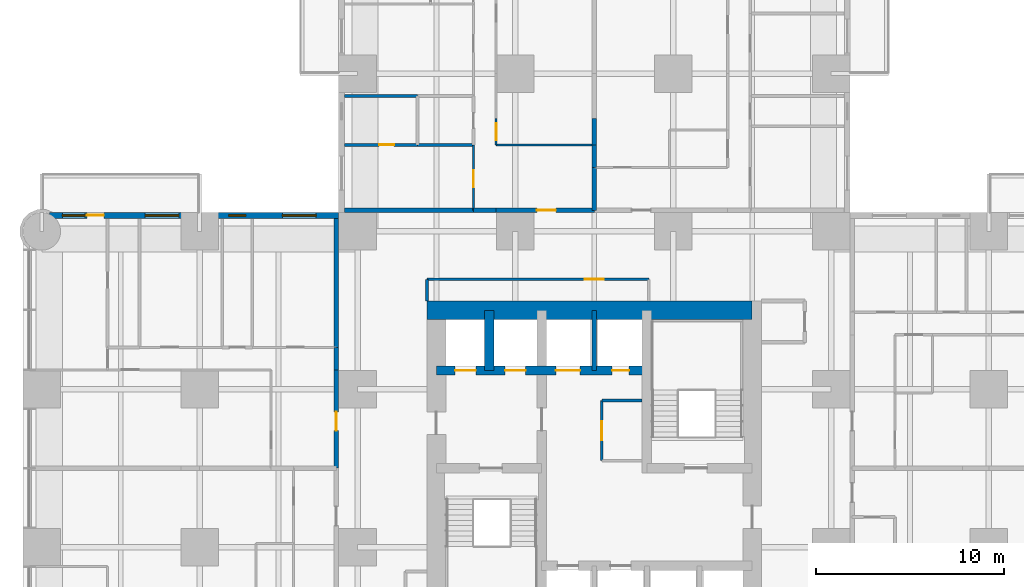
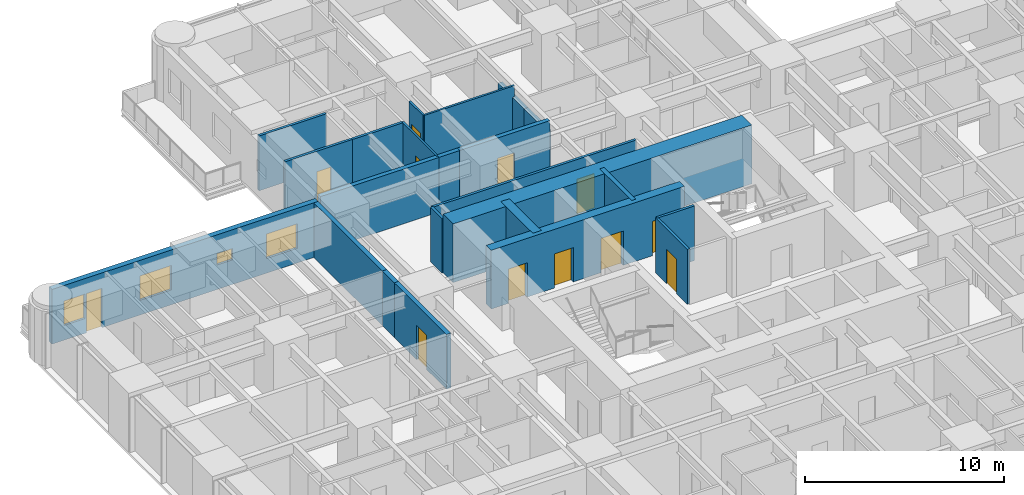
# One storey, part 12 of 17: 24 walls, 12 doors, 4 windows, 16 openings.
"""IFC4 building model written with IfcOpenShell, lengths in metres."""

from ifc_helpers import new_model, si_unit, direction, frame, frame_2d, origin, place, context, subcontext, project, spatial, rectangle, extrude, material, layer, layer_set, type_object, element, fill, save


model = new_model("IFC4")

# Units and contexts
model_context = context("Model", 3, precision=1e-05, world=origin(), true_north=direction((0.0, 1.0)))
body_context = subcontext(model_context, "Body", "Model", "MODEL_VIEW")
ifc_project = project(units=[si_unit("LENGTHUNIT", "METRE"), si_unit("AREAUNIT", "SQUARE_METRE"), si_unit("VOLUMEUNIT", "CUBIC_METRE"), si_unit("PLANEANGLEUNIT", "RADIAN"), si_unit("MASSUNIT", "GRAM", prefix="KILO")], contexts=[model_context])

# Site, building, storey
site_placement = place(None, origin())
site = spatial("IfcSite", under=ifc_project, at=site_placement, CompositionType="ELEMENT")
building_placement = place(site_placement, origin())
building = spatial("IfcBuilding", under=site, at=building_placement, Name="Torre Alcanfor", CompositionType="ELEMENT")
storey_placement = place(building_placement, frame((0.0, 0.0, 99.300048828125)))
storey = spatial("IfcBuildingStorey", under=building, at=storey_placement, Name="L25", CompositionType="ELEMENT", Elevation=99.300048828125)

# Wall, opening, door
ifc_material_1 = material(Name="Concrete block masonry, hollow blocks NMX-C-404 9 MPa", Category="masonry")
ifc_layer_1 = layer(ifc_material_1, 0.25)
ifc_layer_set_1 = layer_set([ifc_layer_1], Name="Apartment entrance wall 250 EI 60")
wall_type_1 = type_object("IfcWallType", Name="Apartment entrance wall 250 EI 60", PredefinedType="PARTITIONING", material=ifc_layer_set_1)
wall_1_placement = place(storey_placement, frame((24.1708984375, 43.125, 0.0), z_axis=(0.0, 0.0, 1.0), x_axis=(1.0, 0.0, 0.0)))
wall_1 = element("IfcWall", 1, at=wall_1_placement, inside=storey, type_object=wall_type_1, Name="Partition L25-CORR / L25-N1-ZAG", PredefinedType="PARTITIONING", context=body_context, shape_type="SweptSolid", body=[
    extrude(rectangle(XDim=5.22900390625, YDim=0.25, at=frame_2d((2.614501953125, 0.0))), origin(), (0.0, 0.0, 1.0), 3.349853515625),
])
opening_1_placement = place(wall_1_placement, frame((2.178955078125, 0.0, 0.0)))
opening_1 = element("IfcOpeningElement", 2, at=opening_1_placement, cuts=wall_1, Name="Opening D-A1", PredefinedType="OPENING", context=body_context, shape_type="SweptSolid", body=[
    extrude(rectangle(XDim=1.0, YDim=2.10009765625, at=frame_2d((0.5, 1.050048828125))), frame((0.0, 0.135009765625, 0.0), z_axis=(0.0, -1.0, 0.0), x_axis=(1.0, 0.0, 0.0)), (0.0, 0.0, 1.0), 0.27001953125),
])
ifc_material_2 = material(Name="Galvanised steel sheet ASTM A653", Category="steel")
door_type_1 = type_object("IfcDoorType", Name="Apartment entrance door FD60 1000x2100", OperationType="SINGLE_SWING_LEFT", PredefinedType="DOOR", material=ifc_material_2)
door_1_placement = place(opening_1_placement, origin())
door_1 = element("IfcDoor", 3, at=door_1_placement, inside=storey, type_object=door_type_1, Name="Apartment entrance L25-N1", OperationType="SINGLE_SWING_RIGHT", OverallHeight=2.10009765625, OverallWidth=1.0, PredefinedType="DOOR", context=body_context, shape_type="SweptSolid", body=[
    extrude(rectangle(XDim=1.0, YDim=2.10009765625, at=frame_2d((0.5, 1.050048828125))), frame((0.0, 0.02490234375, 0.0), z_axis=(0.0, -1.0, 0.0), x_axis=(1.0, 0.0, 0.0)), (0.0, 0.0, 1.0), 0.050048828125),
])
fill(opening_1, door_1)

# Walls
wall_2_placement = place(storey_placement, frame((22.970947265625, 43.125, 0.0), z_axis=(0.0, 0.0, 1.0), x_axis=(1.0, 0.0, 0.0)))
element("IfcWall", 4, at=wall_2_placement, inside=storey, type_object=wall_type_1, Name="Partition L25-CORR / L25-N1-HALL", PredefinedType="PARTITIONING", context=body_context, shape_type="SweptSolid", body=[
    extrude(rectangle(XDim=1.199951171875, YDim=0.25, at=frame_2d((0.60009765625, 0.0))), origin(), (0.0, 0.0, 1.0), 3.349853515625),
])
wall_3_placement = place(storey_placement, frame((16.10009765625, 43.125, 0.0), z_axis=(0.0, 0.0, 1.0), x_axis=(1.0, 0.0, 0.0)))
element("IfcWall", 5, at=wall_3_placement, inside=storey, type_object=wall_type_1, Name="Partition L25-CORR / L25-N1-SERV", PredefinedType="PARTITIONING", context=body_context, shape_type="SweptSolid", body=[
    extrude(rectangle(XDim=6.870849609375, YDim=0.25, at=frame_2d((3.435546875, 0.0))), origin(), (0.0, 0.0, 1.0), 3.349853515625),
])

# Wall, opening, door
wall_4_placement = place(storey_placement, frame((15.675048828125, 29.39990234375, 0.0), z_axis=(0.0, 0.0, 1.0), x_axis=(0.0, 1.0, 0.0)))
wall_4 = element("IfcWall", 6, at=wall_4_placement, inside=storey, type_object=wall_type_1, Name="Partition L25-CORR / L25-W2-ZAG", PredefinedType="PARTITIONING", context=body_context, shape_type="SweptSolid", body=[
    extrude(rectangle(XDim=5.22900390625, YDim=0.25, at=frame_2d((2.614501953125, 0.0))), origin(), (0.0, 0.0, 1.0), 3.349853515625),
])
opening_2_placement = place(wall_4_placement, frame((2.0, 0.0, 0.0)))
opening_2 = element("IfcOpeningElement", 7, at=opening_2_placement, cuts=wall_4, Name="Opening D-A1", PredefinedType="OPENING", context=body_context, shape_type="SweptSolid", body=[
    extrude(rectangle(XDim=1.0, YDim=2.10009765625, at=frame_2d((0.5, 1.050048828125))), frame((0.0, 0.135009765625, 0.0), z_axis=(0.0, -1.0, 0.0), x_axis=(1.0, 0.0, 0.0)), (0.0, 0.0, 1.0), 0.27001953125),
])
door_2_placement = place(opening_2_placement, origin())
door_2 = element("IfcDoor", 8, at=door_2_placement, inside=storey, type_object=door_type_1, Name="Apartment entrance L25-W2", OperationType="SINGLE_SWING_LEFT", OverallHeight=2.10009765625, OverallWidth=1.0, PredefinedType="DOOR", context=body_context, shape_type="SweptSolid", body=[
    extrude(rectangle(XDim=1.0, YDim=2.10009765625, at=frame_2d((0.5, 1.050048828125))), frame((0.0, 0.02490234375, 0.0), z_axis=(0.0, -1.0, 0.0), x_axis=(1.0, 0.0, 0.0)), (0.0, 0.0, 1.0), 0.050048828125),
])
fill(opening_2, door_2)

# Walls
wall_5_placement = place(storey_placement, frame((15.675048828125, 34.62890625, 0.0), z_axis=(0.0, 0.0, 1.0), x_axis=(0.0, 1.0, 0.0)))
element("IfcWall", 9, at=wall_5_placement, inside=storey, type_object=wall_type_1, Name="Partition L25-CORR / L25-W2-HALL", PredefinedType="PARTITIONING", context=body_context, shape_type="SweptSolid", body=[
    extrude(rectangle(XDim=1.2001953125, YDim=0.25, at=frame_2d((0.60009765625, 0.0))), origin(), (0.0, 0.0, 1.0), 3.349853515625),
])
wall_6_placement = place(storey_placement, frame((15.675048828125, 35.8291015625, 0.0), z_axis=(0.0, 0.0, 1.0), x_axis=(0.0, 1.0, 0.0)))
element("IfcWall", 10, at=wall_6_placement, inside=storey, type_object=wall_type_1, Name="Partition L25-CORR / L25-W2-BED3", PredefinedType="PARTITIONING", context=body_context, shape_type="SweptSolid", body=[
    extrude(rectangle(XDim=6.870849609375, YDim=0.25, at=frame_2d((3.435546875, 0.0))), origin(), (0.0, 0.0, 1.0), 3.349853515625),
])
ifc_material_3 = material(Name="Gypsum board on steel studs", Category="steel")
ifc_layer_2 = layer(ifc_material_3, 0.1201171875)
ifc_layer_set_2 = layer_set([ifc_layer_2], Name="Apartment partition 120")
wall_type_2 = type_object("IfcWallType", Name="Apartment partition 120", PredefinedType="PARTITIONING", material=ifc_layer_set_2)
wall_7_placement = place(storey_placement, frame((29.39990234375, 46.60009765625, 0.0), z_axis=(0.0, 0.0, 1.0), x_axis=(-1.0, 0.0, 0.0)))
element("IfcWall", 11, at=wall_7_placement, inside=storey, type_object=wall_type_2, Name="Partition L25-N1-ZAG / L25-N1-LAUND", PredefinedType="PARTITIONING", context=body_context, shape_type="SweptSolid", body=[
    extrude(rectangle(XDim=5.22900390625, YDim=0.1201171875, at=frame_2d((2.614501953125, 0.0))), origin(), (0.0, 0.0, 1.0), 3.349853515625),
])

# Wall, opening, door
wall_8_placement = place(storey_placement, frame((24.1708984375, 48.0, 0.0), z_axis=(0.0, 0.0, 1.0), x_axis=(0.0, -1.0, 0.0)))
wall_8 = element("IfcWall", 12, at=wall_8_placement, inside=storey, type_object=wall_type_2, Name="Partition L25-N1-LAUND / L25-N1-HALL", PredefinedType="PARTITIONING", context=body_context, shape_type="SweptSolid", body=[
    extrude(rectangle(XDim=1.39990234375, YDim=0.1201171875, at=frame_2d((0.699951171875, 0.0))), origin(), (0.0, 0.0, 1.0), 3.349853515625),
])
opening_3_placement = place(wall_8_placement, frame((0.25, 0.0, 0.0)))
opening_3 = element("IfcOpeningElement", 13, at=opening_3_placement, cuts=wall_8, Name="Opening D-R1", PredefinedType="OPENING", context=body_context, shape_type="SweptSolid", body=[
    extrude(rectangle(XDim=0.89990234375, YDim=2.10009765625, at=frame_2d((0.449951171875, 1.050048828125))), frame((0.0, 0.070068359375, 0.0), z_axis=(0.0, -1.0, 0.0), x_axis=(1.0, 0.0, 0.0)), (0.0, 0.0, 1.0), 0.14013671875),
])
ifc_material_4 = material(Name="Timber", Category="wood")
door_type_2 = type_object("IfcDoorType", Name="Internal door 900x2100", OperationType="SINGLE_SWING_LEFT", PredefinedType="DOOR", material=ifc_material_4)
door_3_placement = place(opening_3_placement, origin())
door_3 = element("IfcDoor", 14, at=door_3_placement, inside=storey, type_object=door_type_2, Name="Door L25-N1 laund", OperationType="SINGLE_SWING_LEFT", OverallHeight=2.10009765625, OverallWidth=0.89990234375, PredefinedType="DOOR", context=body_context, shape_type="SweptSolid", body=[
    extrude(rectangle(XDim=0.89990234375, YDim=2.10009765625, at=frame_2d((0.449951171875, 1.050048828125))), frame((0.0, 0.02490234375, 0.0), z_axis=(0.0, -1.0, 0.0), x_axis=(1.0, 0.0, 0.0)), (0.0, 0.0, 1.0), 0.050048828125),
])
fill(opening_3, door_3)

wall_9_placement = place(storey_placement, frame((22.970947265625, 46.60009765625, 0.0), z_axis=(0.0, 0.0, 1.0), x_axis=(0.0, -1.0, 0.0)))
wall_9 = element("IfcWall", 15, at=wall_9_placement, inside=storey, type_object=wall_type_2, Name="Partition L25-N1-HALL / L25-N1-SERV", PredefinedType="PARTITIONING", context=body_context, shape_type="SweptSolid", body=[
    extrude(rectangle(XDim=3.47509765625, YDim=0.1201171875, at=frame_2d((1.737548828125, 0.0))), origin(), (0.0, 0.0, 1.0), 3.349853515625),
])
opening_4_placement = place(wall_9_placement, frame((1.35009765625, 0.0, 0.0)))
opening_4 = element("IfcOpeningElement", 16, at=opening_4_placement, cuts=wall_9, Name="Opening D-R1", PredefinedType="OPENING", context=body_context, shape_type="SweptSolid", body=[
    extrude(rectangle(XDim=0.89990234375, YDim=2.10009765625, at=frame_2d((0.449951171875, 1.050048828125))), frame((0.0, 0.070068359375, 0.0), z_axis=(0.0, -1.0, 0.0), x_axis=(1.0, 0.0, 0.0)), (0.0, 0.0, 1.0), 0.14013671875),
])
door_4_placement = place(opening_4_placement, frame((0.89990234375, 0.0, 0.0), z_axis=(0.0, 0.0, 1.0), x_axis=(-1.0, 0.0, 0.0)))
door_4 = element("IfcDoor", 17, at=door_4_placement, inside=storey, type_object=door_type_2, Name="Door L25-N1 serv", OperationType="SINGLE_SWING_LEFT", OverallHeight=2.10009765625, OverallWidth=0.89990234375, PredefinedType="DOOR", context=body_context, shape_type="SweptSolid", body=[
    extrude(rectangle(XDim=0.89990234375, YDim=2.10009765625, at=frame_2d((0.449951171875, 1.050048828125))), frame((0.0, 0.025146484375, 0.0), z_axis=(0.0, -1.0, 0.0), x_axis=(1.0, 0.0, 0.0)), (0.0, 0.0, 1.0), 0.050048828125),
])
fill(opening_4, door_4)

# Wall, openings, doors
ifc_material_5 = material(Name="Concrete f'c 70 MPa", Category="concrete")
ifc_layer_3 = layer(ifc_material_5, 0.5)
ifc_layer_set_3 = layer_set([ifc_layer_3], Name="Core inner wall 500 f'c70")
wall_type_3 = type_object("IfcWallType", Name="Core inner wall 500 f'c70", PredefinedType="SHEAR", material=ifc_layer_set_3)
wall_10_placement = place(storey_placement, frame((21.0, 34.60009765625, 0.0), z_axis=(0.0, 0.0, 1.0), x_axis=(1.0, 0.0, 0.0)))
wall_10 = element("IfcWall", 18, at=wall_10_placement, inside=storey, type_object=wall_type_3, Name="Core wall Y346 L25", PredefinedType="SHEAR", context=body_context, shape_type="SweptSolid", body=[
    extrude(rectangle(XDim=11.199951171875, YDim=0.5, at=frame_2d((5.60009765625, 0.0))), origin(), (0.0, 0.0, 1.0), 3.599853515625),
])
opening_5_placement = place(wall_10_placement, frame((9.35009765625, 0.0, 0.0)))
opening_5 = element("IfcOpeningElement", 19, at=opening_5_placement, cuts=wall_10, Name="Opening D-Q1", PredefinedType="OPENING", context=body_context, shape_type="SweptSolid", body=[
    extrude(rectangle(XDim=0.89990234375, YDim=2.10009765625, at=frame_2d((0.449951171875, 1.050048828125))), frame((0.0, 0.260009765625, 0.0), z_axis=(0.0, -1.0, 0.0), x_axis=(1.0, 0.0, 0.0)), (0.0, 0.0, 1.0), 0.52001953125),
])
opening_6_placement = place(wall_10_placement, frame((1.0, 0.0, 0.0)))
opening_6 = element("IfcOpeningElement", 20, at=opening_6_placement, cuts=wall_10, Name="Opening LD2", PredefinedType="OPENING", context=body_context, shape_type="SweptSolid", body=[
    extrude(rectangle(XDim=1.10009765625, YDim=2.10009765625, at=frame_2d((0.550048828125, 1.050048828125))), frame((0.0, 0.260009765625, 0.0), z_axis=(0.0, -1.0, 0.0), x_axis=(1.0, 0.0, 0.0)), (0.0, 0.0, 1.0), 0.52001953125),
])
opening_7_placement = place(wall_10_placement, frame((3.64990234375, 0.0, 0.0)))
opening_7 = element("IfcOpeningElement", 21, at=opening_7_placement, cuts=wall_10, Name="Opening LD2", PredefinedType="OPENING", context=body_context, shape_type="SweptSolid", body=[
    extrude(rectangle(XDim=1.10009765625, YDim=2.10009765625, at=frame_2d((0.550048828125, 1.050048828125))), frame((0.0, 0.260009765625, 0.0), z_axis=(0.0, -1.0, 0.0), x_axis=(1.0, 0.0, 0.0)), (0.0, 0.0, 1.0), 0.52001953125),
])
opening_8_placement = place(wall_10_placement, frame((6.35009765625, 0.0, 0.0)))
opening_8 = element("IfcOpeningElement", 22, at=opening_8_placement, cuts=wall_10, Name="Opening LD3", PredefinedType="OPENING", context=body_context, shape_type="SweptSolid", body=[
    extrude(rectangle(XDim=1.300048828125, YDim=2.10009765625, at=frame_2d((0.64990234375, 1.050048828125))), frame((0.0, 0.260009765625, 0.0), z_axis=(0.0, -1.0, 0.0), x_axis=(1.0, 0.0, 0.0)), (0.0, 0.0, 1.0), 0.52001953125),
])
ifc_material_6 = material(Name="Galvanised steel sheet ASTM A653", Category="steel")
door_type_3 = type_object("IfcDoorType", Name="Firefighting lift landing door 1100x2100", OperationType="DOUBLE_DOOR_SLIDING", PredefinedType="DOOR", material=ifc_material_6)
door_5_placement = place(opening_6_placement, origin())
door_5 = element("IfcDoor", 23, at=door_5_placement, inside=storey, type_object=door_type_3, Name="Lift landing door FL1 L25", OperationType="DOUBLE_DOOR_SLIDING", OverallHeight=2.10009765625, OverallWidth=1.10009765625, PredefinedType="DOOR", context=body_context, shape_type="SweptSolid", body=[
    extrude(rectangle(XDim=1.10009765625, YDim=2.10009765625, at=frame_2d((0.550048828125, 1.050048828125))), frame((0.0, 0.02490234375, 0.0), z_axis=(0.0, -1.0, 0.0), x_axis=(1.0, 0.0, 0.0)), (0.0, 0.0, 1.0), 0.050048828125),
])
fill(opening_6, door_5)
door_6_placement = place(opening_7_placement, origin())
door_6 = element("IfcDoor", 24, at=door_6_placement, inside=storey, type_object=door_type_3, Name="Lift landing door FL2 L25", OperationType="DOUBLE_DOOR_SLIDING", OverallHeight=2.10009765625, OverallWidth=1.10009765625, PredefinedType="DOOR", context=body_context, shape_type="SweptSolid", body=[
    extrude(rectangle(XDim=1.10009765625, YDim=2.10009765625, at=frame_2d((0.550048828125, 1.050048828125))), frame((0.0, 0.02490234375, 0.0), z_axis=(0.0, -1.0, 0.0), x_axis=(1.0, 0.0, 0.0)), (0.0, 0.0, 1.0), 0.050048828125),
])
fill(opening_7, door_6)
ifc_material_7 = material(Name="Galvanised steel sheet ASTM A653", Category="steel")
door_type_4 = type_object("IfcDoorType", Name="Riser access door FD120 900x2100", OperationType="SINGLE_SWING_LEFT", PredefinedType="DOOR", material=ifc_material_7)
door_7_placement = place(opening_5_placement, origin())
door_7 = element("IfcDoor", 25, at=door_7_placement, inside=storey, type_object=door_type_4, Name="Riser door L25", OperationType="SINGLE_SWING_LEFT", OverallHeight=2.10009765625, OverallWidth=0.89990234375, PredefinedType="DOOR", context=body_context, shape_type="SweptSolid", body=[
    extrude(rectangle(XDim=0.89990234375, YDim=2.10009765625, at=frame_2d((0.449951171875, 1.050048828125))), frame((0.0, 0.02490234375, 0.0), z_axis=(0.0, -1.0, 0.0), x_axis=(1.0, 0.0, 0.0)), (0.0, 0.0, 1.0), 0.050048828125),
])
fill(opening_5, door_7)
ifc_material_8 = material(Name="Galvanised steel sheet ASTM A653", Category="steel")
door_type_5 = type_object("IfcDoorType", Name="Service lift landing door 1300x2100", OperationType="DOUBLE_DOOR_SLIDING", PredefinedType="DOOR", material=ifc_material_8)
door_8_placement = place(opening_8_placement, origin())
door_8 = element("IfcDoor", 26, at=door_8_placement, inside=storey, type_object=door_type_5, Name="Lift landing door SL1 L25", OperationType="DOUBLE_DOOR_SLIDING", OverallHeight=2.10009765625, OverallWidth=1.300048828125, PredefinedType="DOOR", context=body_context, shape_type="SweptSolid", body=[
    extrude(rectangle(XDim=1.300048828125, YDim=2.10009765625, at=frame_2d((0.64990234375, 1.050048828125))), frame((0.0, 0.02490234375, 0.0), z_axis=(0.0, -1.0, 0.0), x_axis=(1.0, 0.0, 0.0)), (0.0, 0.0, 1.0), 0.050048828125),
])
fill(opening_8, door_8)

# Walls
wall_11_placement = place(storey_placement, frame((23.800048828125, 34.60009765625, 0.0), z_axis=(0.0, 0.0, 1.0), x_axis=(0.0, 1.0, 0.0)))
element("IfcWall", 27, at=wall_11_placement, inside=storey, type_object=wall_type_3, Name="Core wall X238 L25", PredefinedType="SHEAR", context=body_context, shape_type="SweptSolid", body=[
    extrude(rectangle(XDim=3.199951171875, YDim=0.5, at=frame_2d((1.60009765625, 0.0))), origin(), (0.0, 0.0, 1.0), 3.599853515625),
])
ifc_material_9 = material(Name="Concrete f'c 70 MPa", Category="concrete")
ifc_layer_4 = layer(ifc_material_9, 0.25)
ifc_layer_set_4 = layer_set([ifc_layer_4], Name="Core shaft wall 250 f'c70")
wall_type_4 = type_object("IfcWallType", Name="Core shaft wall 250 f'c70", PredefinedType="SHEAR", material=ifc_layer_set_4)
wall_12_placement = place(storey_placement, frame((29.39990234375, 34.60009765625, 0.0), z_axis=(0.0, 0.0, 1.0), x_axis=(0.0, 1.0, 0.0)))
element("IfcWall", 28, at=wall_12_placement, inside=storey, type_object=wall_type_4, Name="Core wall X294N L25", PredefinedType="SHEAR", context=body_context, shape_type="SweptSolid", body=[
    extrude(rectangle(XDim=3.199951171875, YDim=0.25, at=frame_2d((1.60009765625, 0.0))), origin(), (0.0, 0.0, 1.0), 3.599853515625),
])
ifc_material_10 = material(Name="Concrete f'c 70 MPa", Category="concrete")
ifc_layer_5 = layer(ifc_material_10, 1.0)
ifc_layer_set_5 = layer_set([ifc_layer_5], Name="Core wall 1000 f'c70")
wall_type_5 = type_object("IfcWallType", Name="Core wall 1000 f'c70", PredefinedType="SHEAR", material=ifc_layer_set_5)
wall_13_placement = place(storey_placement, frame((37.800048828125, 37.800048828125, 0.0), z_axis=(0.0, 0.0, 1.0), x_axis=(-1.0, 0.0, 0.0)))
element("IfcWall", 29, at=wall_13_placement, inside=storey, type_object=wall_type_5, Name="Core wall OUT-N L25", PredefinedType="SHEAR", context=body_context, shape_type="SweptSolid", body=[
    extrude(rectangle(XDim=17.300048828125, YDim=1.0, at=frame_2d((8.64990234375, 0.0))), origin(), (0.0, 0.0, 1.0), 3.599853515625),
])

# Wall, openings, door, windows
ifc_material_11 = material(Name="Limestone cladding", Category="masonry")
ifc_layer_6 = layer(ifc_material_11, 0.0400390625, Name="Facing")
ifc_material_12 = material(Name="Ventilated air cavity")
ifc_layer_7 = layer(ifc_material_12, 0.02001953125, ventilated=True, Name="Ventilated joint")
ifc_material_13 = material(Name="Mineral wool insulation", Category="insulation")
ifc_layer_8 = layer(ifc_material_13, 0.10009765625, Name="Insulation")
ifc_material_14 = material(Name="Concrete f'c 35 MPa", Category="concrete")
ifc_layer_9 = layer(ifc_material_14, 0.139892578125, Name="Backing")
ifc_layer_set_6 = layer_set([ifc_layer_6, ifc_layer_7, ifc_layer_8, ifc_layer_9], Name="External wall stone-clad 300")
wall_type_6 = type_object("IfcWallType", Name="External wall stone-clad 300", PredefinedType="SOLIDWALL", material=ifc_layer_set_6)
wall_14_placement = place(storey_placement, frame((15.800048828125, 42.85009765625, 0.0), z_axis=(0.0, 0.0, 1.0), x_axis=(-1.0, 0.0, 0.0)))
wall_14 = element("IfcWall", 30, at=wall_14_placement, inside=storey, type_object=wall_type_6, Name="External wall L25 1", PredefinedType="SOLIDWALL", context=body_context, shape_type="SweptSolid", body=[
    extrude(rectangle(XDim=15.400146484375, YDim=0.300048828125, at=frame_2d((7.7001953125, 0.0))), origin(), (0.0, 0.0, 1.0), 3.349853515625),
])
opening_9_placement = place(wall_14_placement, frame((1.199951171875, 0.0, 0.89990234375)))
opening_9 = element("IfcOpeningElement", 31, at=opening_9_placement, cuts=wall_14, Name="Opening W2", PredefinedType="OPENING", context=body_context, shape_type="SweptSolid", body=[
    extrude(rectangle(XDim=1.800048828125, YDim=1.5, at=frame_2d((0.89990234375, 0.75))), frame((0.0, 0.159912109375, 0.0), z_axis=(0.0, -1.0, 0.0), x_axis=(1.0, 0.0, 0.0)), (0.0, 0.0, 1.0), 0.320068359375),
])
opening_10_placement = place(wall_14_placement, frame((4.949951171875, 0.0, 1.5)))
opening_10 = element("IfcOpeningElement", 32, at=opening_10_placement, cuts=wall_14, Name="Opening W3", PredefinedType="OPENING", context=body_context, shape_type="SweptSolid", body=[
    extrude(rectangle(XDim=0.89990234375, YDim=0.699951171875, at=frame_2d((0.449951171875, 0.35009765625))), frame((0.0, 0.159912109375, 0.0), z_axis=(0.0, -1.0, 0.0), x_axis=(1.0, 0.0, 0.0)), (0.0, 0.0, 1.0), 0.320068359375),
])
opening_11_placement = place(wall_14_placement, frame((8.5, 0.0, 0.89990234375)))
opening_11 = element("IfcOpeningElement", 33, at=opening_11_placement, cuts=wall_14, Name="Opening W2", PredefinedType="OPENING", context=body_context, shape_type="SweptSolid", body=[
    extrude(rectangle(XDim=1.800048828125, YDim=1.5, at=frame_2d((0.89990234375, 0.75))), frame((0.0, 0.159912109375, 0.0), z_axis=(0.0, -1.0, 0.0), x_axis=(1.0, 0.0, 0.0)), (0.0, 0.0, 1.0), 0.320068359375),
])
opening_12_placement = place(wall_14_placement, frame((12.5, 0.0, 0.0)))
opening_12 = element("IfcOpeningElement", 34, at=opening_12_placement, cuts=wall_14, Name="Opening D-B1", PredefinedType="OPENING", context=body_context, shape_type="SweptSolid", body=[
    extrude(rectangle(XDim=0.89990234375, YDim=2.39990234375, at=frame_2d((0.449951171875, 1.199951171875))), frame((0.0, 0.159912109375, 0.0), z_axis=(0.0, -1.0, 0.0), x_axis=(1.0, 0.0, 0.0)), (0.0, 0.0, 1.0), 0.320068359375),
])
opening_13_placement = place(wall_14_placement, frame((13.5, 0.0, 0.89990234375)))
opening_13 = element("IfcOpeningElement", 35, at=opening_13_placement, cuts=wall_14, Name="Opening W4", PredefinedType="OPENING", context=body_context, shape_type="SweptSolid", body=[
    extrude(rectangle(XDim=1.199951171875, YDim=1.5, at=frame_2d((0.60009765625, 0.75))), frame((0.0, 0.159912109375, 0.0), z_axis=(0.0, -1.0, 0.0), x_axis=(1.0, 0.0, 0.0)), (0.0, 0.0, 1.0), 0.320068359375),
])
ifc_material_15 = material(Name="Aluminium and glass", Category="aluminium")
door_type_6 = type_object("IfcDoorType", Name="Balcony door glazed 900x2400", OperationType="SINGLE_SWING_LEFT", PredefinedType="DOOR", material=ifc_material_15)
door_9_placement = place(opening_12_placement, origin())
door_9 = element("IfcDoor", 36, at=door_9_placement, inside=storey, type_object=door_type_6, Name="Balcony door L25-W2", OperationType="SINGLE_SWING_LEFT", OverallHeight=2.39990234375, OverallWidth=0.89990234375, PredefinedType="DOOR", context=body_context, shape_type="SweptSolid", body=[
    extrude(rectangle(XDim=0.89990234375, YDim=2.39990234375, at=frame_2d((0.449951171875, 1.199951171875))), frame((0.0, 0.02490234375, 0.0), z_axis=(0.0, -1.0, 0.0), x_axis=(1.0, 0.0, 0.0)), (0.0, 0.0, 1.0), 0.050048828125),
])
fill(opening_12, door_9)
ifc_material_16 = material(Name="Aluminium frame with clear double glazing", Category="aluminium")
window_type_1 = type_object("IfcWindowType", Name="Window bathroom 900x700", PartitioningType="SINGLE_PANEL", PredefinedType="WINDOW", material=ifc_material_16)
window_1_placement = place(opening_10_placement, origin())
window_1 = element("IfcWindow", 37, at=window_1_placement, inside=storey, type_object=window_type_1, Name="Window W3 L25-W2", OverallHeight=0.699951171875, OverallWidth=0.89990234375, PartitioningType="SINGLE_PANEL", PredefinedType="WINDOW", context=body_context, shape_type="SweptSolid", body=[
    extrude(rectangle(XDim=0.89990234375, YDim=0.699951171875, at=frame_2d((0.449951171875, 0.35009765625))), frame((0.0, 0.030029296875, 0.0), z_axis=(0.0, -1.0, 0.0), x_axis=(1.0, 0.0, 0.0)), (0.0, 0.0, 1.0), 0.06005859375),
])
fill(opening_10, window_1)
ifc_material_17 = material(Name="Aluminium frame with clear double glazing", Category="aluminium")
window_type_2 = type_object("IfcWindowType", Name="Window bedroom 1200x1500", PartitioningType="SINGLE_PANEL", PredefinedType="WINDOW", material=ifc_material_17)
window_2_placement = place(opening_13_placement, origin())
window_2 = element("IfcWindow", 38, at=window_2_placement, inside=storey, type_object=window_type_2, Name="Window W4 L25-W2", OverallHeight=1.5, OverallWidth=1.199951171875, PartitioningType="SINGLE_PANEL", PredefinedType="WINDOW", context=body_context, shape_type="SweptSolid", body=[
    extrude(rectangle(XDim=1.199951171875, YDim=1.5, at=frame_2d((0.60009765625, 0.75))), frame((0.0, 0.030029296875, 0.0), z_axis=(0.0, -1.0, 0.0), x_axis=(1.0, 0.0, 0.0)), (0.0, 0.0, 1.0), 0.06005859375),
])
fill(opening_13, window_2)
ifc_material_18 = material(Name="Aluminium frame with clear double glazing", Category="aluminium")
window_type_3 = type_object("IfcWindowType", Name="Window bedroom 1800x1500", PartitioningType="SINGLE_PANEL", PredefinedType="WINDOW", material=ifc_material_18)
window_3_placement = place(opening_9_placement, origin())
window_3 = element("IfcWindow", 39, at=window_3_placement, inside=storey, type_object=window_type_3, Name="Window W2 L25-W2", OverallHeight=1.5, OverallWidth=1.800048828125, PartitioningType="SINGLE_PANEL", PredefinedType="WINDOW", context=body_context, shape_type="SweptSolid", body=[
    extrude(rectangle(XDim=1.800048828125, YDim=1.5, at=frame_2d((0.89990234375, 0.75))), frame((0.0, 0.030029296875, 0.0), z_axis=(0.0, -1.0, 0.0), x_axis=(1.0, 0.0, 0.0)), (0.0, 0.0, 1.0), 0.06005859375),
])
fill(opening_9, window_3)
window_4_placement = place(opening_11_placement, origin())
window_4 = element("IfcWindow", 40, at=window_4_placement, inside=storey, type_object=window_type_3, Name="Window W2 L25-W2", OverallHeight=1.5, OverallWidth=1.800048828125, PartitioningType="SINGLE_PANEL", PredefinedType="WINDOW", context=body_context, shape_type="SweptSolid", body=[
    extrude(rectangle(XDim=1.800048828125, YDim=1.5, at=frame_2d((0.89990234375, 0.75))), frame((0.0, 0.030029296875, 0.0), z_axis=(0.0, -1.0, 0.0), x_axis=(1.0, 0.0, 0.0)), (0.0, 0.0, 1.0), 0.06005859375),
])
fill(opening_11, window_4)

# Walls
ifc_material_19 = material(Name="Concrete block masonry, hollow blocks NMX-C-404 9 MPa", Category="masonry")
ifc_layer_10 = layer(ifc_material_19, 0.25)
ifc_layer_set_7 = layer_set([ifc_layer_10], Name="Party wall 250 EI 60")
wall_type_7 = type_object("IfcWallType", Name="Party wall 250 EI 60", PredefinedType="PARTITIONING", material=ifc_layer_set_7)
wall_15_placement = place(storey_placement, frame((29.39990234375, 43.125, 0.0), z_axis=(0.0, 0.0, 1.0), x_axis=(0.0, 1.0, 0.0)))
element("IfcWall", 41, at=wall_15_placement, inside=storey, type_object=wall_type_7, Name="Partition L25-N1-ZAG / L25-N2-ZAG", PredefinedType="PARTITIONING", context=body_context, shape_type="SweptSolid", body=[
    extrude(rectangle(XDim=2.27490234375, YDim=0.25, at=frame_2d((1.137451171875, 0.0))), origin(), (0.0, 0.0, 1.0), 2.666748046875),
])
wall_16_placement = place(storey_placement, frame((29.39990234375, 45.39990234375, 0.0), z_axis=(0.0, 0.0, 1.0), x_axis=(0.0, 1.0, 0.0)))
element("IfcWall", 42, at=wall_16_placement, inside=storey, type_object=wall_type_7, Name="Partition L25-N1-ZAG / L25-N2-KITCHEN", PredefinedType="PARTITIONING", context=body_context, shape_type="SweptSolid", body=[
    extrude(rectangle(XDim=1.2001953125, YDim=0.25, at=frame_2d((0.60009765625, 0.0))), origin(), (0.0, 0.0, 1.0), 2.666748046875),
])
wall_17_placement = place(storey_placement, frame((29.39990234375, 46.60009765625, 0.0), z_axis=(0.0, 0.0, 1.0), x_axis=(0.0, 1.0, 0.0)))
element("IfcWall", 43, at=wall_17_placement, inside=storey, type_object=wall_type_7, Name="Partition L25-N1-LAUND / L25-N2-KITCHEN", PredefinedType="PARTITIONING", context=body_context, shape_type="SweptSolid", body=[
    extrude(rectangle(XDim=1.39990234375, YDim=0.25, at=frame_2d((0.699951171875, 0.0))), origin(), (0.0, 0.0, 1.0), 2.666748046875),
])

# Wall, opening, door
ifc_material_20 = material(Name="Concrete block masonry, hollow blocks NMX-C-404 9 MPa", Category="masonry")
ifc_layer_11 = layer(ifc_material_20, 0.14990234375)
ifc_layer_set_8 = layer_set([ifc_layer_11], Name="Residents' room partition 150")
wall_type_8 = type_object("IfcWallType", Name="Residents' room partition 150", PredefinedType="PARTITIONING", material=ifc_layer_set_8)
wall_18_placement = place(storey_placement, frame((32.300048828125, 39.449951171875, 0.0), z_axis=(0.0, 0.0, 1.0), x_axis=(-1.0, 0.0, 0.0)))
wall_18 = element("IfcWall", 44, at=wall_18_placement, inside=storey, type_object=wall_type_8, Name="Partition L25-CORR / L25-G01", PredefinedType="PARTITIONING", context=body_context, shape_type="SweptSolid", body=[
    extrude(rectangle(XDim=11.800048828125, YDim=0.14990234375, at=frame_2d((5.89990234375, 0.0))), origin(), (0.0, 0.0, 1.0), 3.349853515625),
])
opening_14_placement = place(wall_18_placement, frame((2.39990234375, 0.0, 0.0)))
opening_14 = element("IfcOpeningElement", 45, at=opening_14_placement, cuts=wall_18, Name="Opening D-M1", PredefinedType="OPENING", context=body_context, shape_type="SweptSolid", body=[
    extrude(rectangle(XDim=1.0, YDim=2.10009765625, at=frame_2d((0.5, 1.050048828125))), frame((0.0, 0.0849609375, 0.0), z_axis=(0.0, -1.0, 0.0), x_axis=(1.0, 0.0, 0.0)), (0.0, 0.0, 1.0), 0.169921875),
])
ifc_material_21 = material(Name="Timber", Category="wood")
door_type_7 = type_object("IfcDoorType", Name="Residents' room door 1000x2100", OperationType="SINGLE_SWING_LEFT", PredefinedType="DOOR", material=ifc_material_21)
door_10_placement = place(opening_14_placement, origin())
door_10 = element("IfcDoor", 46, at=door_10_placement, inside=storey, type_object=door_type_7, Name="Door L25-G01 pram and buggy store", OperationType="SINGLE_SWING_LEFT", OverallHeight=2.10009765625, OverallWidth=1.0, PredefinedType="DOOR", context=body_context, shape_type="SweptSolid", body=[
    extrude(rectangle(XDim=1.0, YDim=2.10009765625, at=frame_2d((0.5, 1.050048828125))), frame((0.0, 0.02490234375, 0.0), z_axis=(0.0, -1.0, 0.0), x_axis=(1.0, 0.0, 0.0)), (0.0, 0.0, 1.0), 0.050048828125),
])
fill(opening_14, door_10)

# Wall
wall_19_placement = place(storey_placement, frame((20.5, 39.449951171875, 0.0), z_axis=(0.0, 0.0, 1.0), x_axis=(0.0, -1.0, 0.0)))
element("IfcWall", 47, at=wall_19_placement, inside=storey, type_object=wall_type_8, Name="Partition L25-CORR / L25-G01", PredefinedType="PARTITIONING", context=body_context, shape_type="SweptSolid", body=[
    extrude(rectangle(XDim=1.14990234375, YDim=0.14990234375, at=frame_2d((0.574951171875, 0.0))), origin(), (0.0, 0.0, 1.0), 3.349853515625),
])

# Wall, opening, door
wall_20_placement = place(storey_placement, frame((29.800048828125, 29.800048828125, 0.0), z_axis=(0.0, 0.0, 1.0), x_axis=(0.0, 1.0, 0.0)))
wall_20 = element("IfcWall", 48, at=wall_20_placement, inside=storey, type_object=wall_type_8, Name="Partition L25-LL / L25-CR1", PredefinedType="PARTITIONING", context=body_context, shape_type="SweptSolid", body=[
    extrude(rectangle(XDim=3.199951171875, YDim=0.14990234375, at=frame_2d((1.60009765625, 0.0))), origin(), (0.0, 0.0, 1.0), 3.349853515625),
])
opening_15_placement = place(wall_20_placement, frame((1.10009765625, 0.0, 0.0)))
opening_15 = element("IfcOpeningElement", 49, at=opening_15_placement, cuts=wall_20, Name="Opening D-M1", PredefinedType="OPENING", context=body_context, shape_type="SweptSolid", body=[
    extrude(rectangle(XDim=1.0, YDim=2.10009765625, at=frame_2d((0.5, 1.050048828125))), frame((0.0, 0.0849609375, 0.0), z_axis=(0.0, -1.0, 0.0), x_axis=(1.0, 0.0, 0.0)), (0.0, 0.0, 1.0), 0.169921875),
])
door_11_placement = place(opening_15_placement, frame((1.0, 0.0, 0.0), z_axis=(0.0, 0.0, 1.0), x_axis=(-1.0, 0.0, 0.0)))
door_11 = element("IfcDoor", 50, at=door_11_placement, inside=storey, type_object=door_type_7, Name="Residents' parcel room door L25", OperationType="SINGLE_SWING_RIGHT", OverallHeight=2.10009765625, OverallWidth=1.0, PredefinedType="DOOR", context=body_context, shape_type="SweptSolid", body=[
    extrude(rectangle(XDim=1.0, YDim=2.10009765625, at=frame_2d((0.5, 1.050048828125))), frame((0.0, 0.025146484375, 0.0), z_axis=(0.0, -1.0, 0.0), x_axis=(1.0, 0.0, 0.0)), (0.0, 0.0, 1.0), 0.050048828125),
])
fill(opening_15, door_11)

# Walls
wall_21_placement = place(storey_placement, frame((29.800048828125, 33.0, 0.0), z_axis=(0.0, 0.0, 1.0), x_axis=(1.0, 0.0, 0.0)))
element("IfcWall", 51, at=wall_21_placement, inside=storey, type_object=wall_type_8, Name="Partition L25-LL / L25-CR1", PredefinedType="PARTITIONING", context=body_context, shape_type="SweptSolid", body=[
    extrude(rectangle(XDim=2.14990234375, YDim=0.14990234375, at=frame_2d((1.074951171875, 0.0))), origin(), (0.0, 0.0, 1.0), 3.349853515625),
])
ifc_material_22 = material(Name="Cement board on steel studs", Category="steel")
ifc_layer_12 = layer(ifc_material_22, 0.14990234375)
ifc_layer_set_9 = layer_set([ifc_layer_12], Name="Wet area partition 150")
wall_type_9 = type_object("IfcWallType", Name="Wet area partition 150", PredefinedType="PARTITIONING", material=ifc_layer_set_9)
wall_22_placement = place(storey_placement, frame((22.970947265625, 46.60009765625, 0.0), z_axis=(0.0, 0.0, 1.0), x_axis=(-1.0, 0.0, 0.0)))
element("IfcWall", 52, at=wall_22_placement, inside=storey, type_object=wall_type_9, Name="Partition L25-N1-SERV / L25-N1-BATH1", PredefinedType="PARTITIONING", context=body_context, shape_type="SweptSolid", body=[
    extrude(rectangle(XDim=2.970947265625, YDim=0.14990234375, at=frame_2d((1.4853515625, 0.0))), origin(), (0.0, 0.0, 1.0), 3.349853515625),
])

# Wall, opening, door
wall_23_placement = place(storey_placement, frame((20.0, 46.60009765625, 0.0), z_axis=(0.0, 0.0, 1.0), x_axis=(-1.0, 0.0, 0.0)))
wall_23 = element("IfcWall", 53, at=wall_23_placement, inside=storey, type_object=wall_type_9, Name="Partition L25-N1-SERV / L25-N1-SBATH", PredefinedType="PARTITIONING", context=body_context, shape_type="SweptSolid", body=[
    extrude(rectangle(XDim=3.89990234375, YDim=0.14990234375, at=frame_2d((1.949951171875, 0.0))), origin(), (0.0, 0.0, 1.0), 3.349853515625),
])
opening_16_placement = place(wall_23_placement, frame((1.25, 0.0, 0.0)))
opening_16 = element("IfcOpeningElement", 54, at=opening_16_placement, cuts=wall_23, Name="Opening D-R2", PredefinedType="OPENING", context=body_context, shape_type="SweptSolid", body=[
    extrude(rectangle(XDim=0.800048828125, YDim=2.10009765625, at=frame_2d((0.39990234375, 1.050048828125))), frame((0.0, 0.0849609375, 0.0), z_axis=(0.0, -1.0, 0.0), x_axis=(1.0, 0.0, 0.0)), (0.0, 0.0, 1.0), 0.169921875),
])
ifc_material_23 = material(Name="Timber", Category="wood")
door_type_8 = type_object("IfcDoorType", Name="Bathroom door 800x2100", OperationType="SINGLE_SWING_LEFT", PredefinedType="DOOR", material=ifc_material_23)
door_12_placement = place(opening_16_placement, frame((0.800048828125, 0.0, 0.0), z_axis=(0.0, 0.0, 1.0), x_axis=(-1.0, 0.0, 0.0)))
door_12 = element("IfcDoor", 55, at=door_12_placement, inside=storey, type_object=door_type_8, Name="Door L25-N1 sbath", OperationType="SINGLE_SWING_RIGHT", OverallHeight=2.10009765625, OverallWidth=0.800048828125, PredefinedType="DOOR", context=body_context, shape_type="SweptSolid", body=[
    extrude(rectangle(XDim=0.800048828125, YDim=2.10009765625, at=frame_2d((0.400146484375, 1.050048828125))), frame((0.0, 0.025146484375, 0.0), z_axis=(0.0, -1.0, 0.0), x_axis=(1.0, 0.0, 0.0)), (0.0, 0.0, 1.0), 0.050048828125),
])
fill(opening_16, door_12)

# Wall
wall_24_placement = place(storey_placement, frame((20.0, 49.199951171875, 0.0), z_axis=(0.0, 0.0, 1.0), x_axis=(-1.0, 0.0, 0.0)))
element("IfcWall", 56, at=wall_24_placement, inside=storey, type_object=wall_type_9, Name="Partition L25-N1-SBATH / L25-N1-BED3", PredefinedType="PARTITIONING", context=body_context, shape_type="SweptSolid", body=[
    extrude(rectangle(XDim=3.89990234375, YDim=0.14990234375, at=frame_2d((1.949951171875, 0.0))), origin(), (0.0, 0.0, 1.0), 3.349853515625),
])

save(model, "model.ifc")
